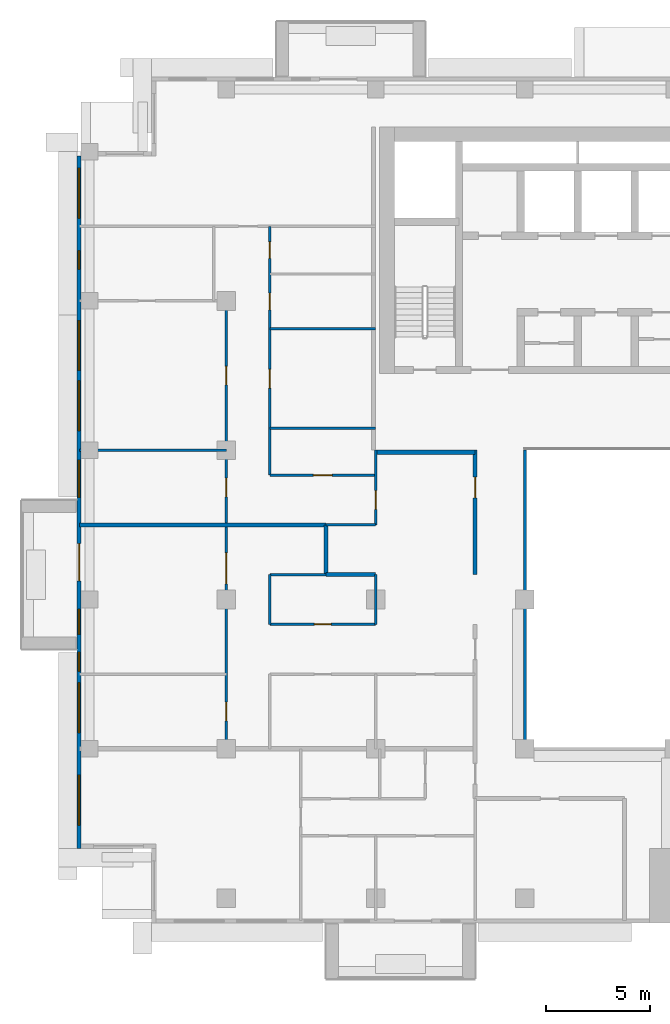
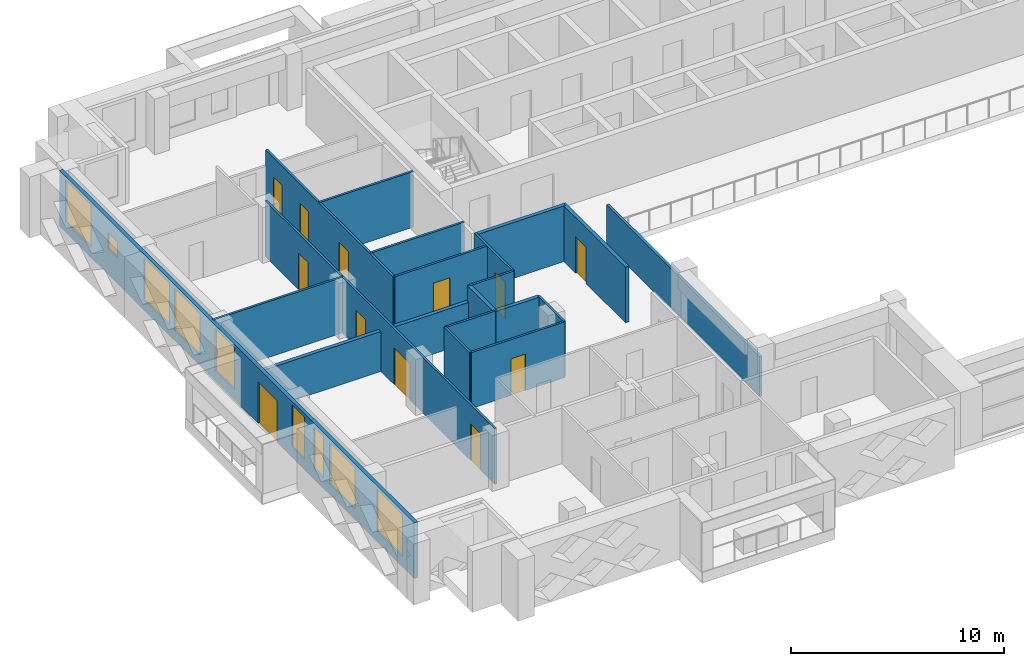
# One storey, part 7 of 20: 19 walls, 12 doors, 9 windows, 21 openings.
"""IFC4 building model written with IfcOpenShell, lengths in metres."""

from ifc_helpers import new_model, si_unit, direction, frame, frame_2d, origin, place, context, subcontext, project, spatial, rectangle, extrude, material, layer, layer_set, type_object, element, fill, save


model = new_model("IFC4")

# Units and contexts
model_context = context("Model", 3, precision=1e-05, world=origin(), true_north=direction((0.0, 1.0)))
body_context = subcontext(model_context, "Body", "Model", "MODEL_VIEW")
ifc_project = project(units=[si_unit("LENGTHUNIT", "METRE"), si_unit("AREAUNIT", "SQUARE_METRE"), si_unit("VOLUMEUNIT", "CUBIC_METRE"), si_unit("PLANEANGLEUNIT", "RADIAN"), si_unit("MASSUNIT", "GRAM", prefix="KILO")], contexts=[model_context])

# Site, building, storey
site_placement = place(None, origin())
site = spatial("IfcSite", under=ifc_project, at=site_placement, CompositionType="ELEMENT")
building_placement = place(site_placement, origin())
building = spatial("IfcBuilding", under=site, at=building_placement, Name="Saffron Iwan Residences", CompositionType="ELEMENT")
storey_placement = place(building_placement, frame((0.0, 0.0, 181.5)))
storey = spatial("IfcBuildingStorey", under=building, at=storey_placement, Name="L48", CompositionType="ELEMENT", Elevation=181.5)

# Wall
ifc_material_1 = material(Name="Fire-rated glazing", Category="glass")
ifc_layer_1 = layer(ifc_material_1, 0.14990234375)
ifc_layer_set_1 = layer_set([ifc_layer_1], Name="Fire-rated glazing")
wall_type_1 = type_object("IfcWallType", Name="Atrium glazed screen 150", PredefinedType="SOLIDWALL", material=ifc_layer_set_1)
wall_1_placement = place(storey_placement, frame((36.0, 48.0, 0.0), z_axis=(0.0, 0.0, 1.0), x_axis=(0.0, 1.0, 0.0)))
element("IfcWall", 1, at=wall_1_placement, inside=storey, type_object=wall_type_1, Name="W-L48-SCREEN-v36-48", PredefinedType="SOLIDWALL", context=body_context, shape_type="SweptSolid", body=[
    extrude(rectangle(XDim=14.39990234375, YDim=0.14990234375, at=frame_2d((7.199951171875, 0.0))), origin(), (0.0, 0.0, 1.0), 2.300048828125),
])

# Wall, openings, door, windows
ifc_material_2 = material(Name="Concrete C40/50", Category="concrete")
ifc_layer_2 = layer(ifc_material_2, 0.199951171875)
ifc_layer_set_2 = layer_set([ifc_layer_2], Name="Concrete C40/50")
wall_type_2 = type_object("IfcWallType", Name="EXTERNAL WALL 200", PredefinedType="SOLIDWALL", material=ifc_layer_set_2)
wall_2_placement = place(storey_placement, frame((14.5, 76.60009765625, 0.0), z_axis=(0.0, 0.0, 1.0), x_axis=(0.0, -1.0, 0.0)))
wall_2 = element("IfcWall", 2, at=wall_2_placement, inside=storey, type_object=wall_type_2, Name="External wall L48 F8.0", PredefinedType="SOLIDWALL", context=body_context, shape_type="SweptSolid", body=[
    extrude(rectangle(XDim=33.400146484375, YDim=0.199951171875, at=frame_2d((16.7001953125, 0.0))), origin(), (0.0, 0.0, 1.0), 3.199951171875),
])
opening_1_placement = place(wall_2_placement, frame((18.699951171875, 0.0, 0.0)))
opening_1 = element("IfcOpeningElement", 3, at=opening_1_placement, cuts=wall_2, Name="Opening BD1", PredefinedType="OPENING", context=body_context, shape_type="SweptSolid", body=[
    extrude(rectangle(XDim=1.800048828125, YDim=2.39990234375, at=frame_2d((0.89990234375, 1.199951171875))), frame((0.0, 0.10986328125, 0.0), z_axis=(0.0, -1.0, 0.0), x_axis=(1.0, 0.0, 0.0)), (0.0, 0.0, 1.0), 0.219970703125),
])
opening_2_placement = place(wall_2_placement, frame((29.875, 0.0, 0.60009765625)))
opening_2 = element("IfcOpeningElement", 4, at=opening_2_placement, cuts=wall_2, Name="Opening W1", PredefinedType="OPENING", context=body_context, shape_type="SweptSolid", body=[
    extrude(rectangle(XDim=2.39990234375, YDim=2.39990234375, at=frame_2d((1.199951171875, 1.199951171875))), frame((0.0, 0.10986328125, 0.0), z_axis=(0.0, -1.0, 0.0), x_axis=(1.0, 0.0, 0.0)), (0.0, 0.0, 1.0), 0.219970703125),
])
opening_3_placement = place(wall_2_placement, frame((25.425048828125, 0.0, 0.60009765625)))
opening_3 = element("IfcOpeningElement", 5, at=opening_3_placement, cuts=wall_2, Name="Opening W1", PredefinedType="OPENING", context=body_context, shape_type="SweptSolid", body=[
    extrude(rectangle(XDim=2.39990234375, YDim=2.39990234375, at=frame_2d((1.199951171875, 1.199951171875))), frame((0.0, 0.10986328125, 0.0), z_axis=(0.0, -1.0, 0.0), x_axis=(1.0, 0.0, 0.0)), (0.0, 0.0, 1.0), 0.219970703125),
])
opening_4_placement = place(wall_2_placement, frame((21.875, 0.0, 0.60009765625)))
opening_4 = element("IfcOpeningElement", 6, at=opening_4_placement, cuts=wall_2, Name="Opening W3", PredefinedType="OPENING", context=body_context, shape_type="SweptSolid", body=[
    extrude(rectangle(XDim=1.199951171875, YDim=2.39990234375, at=frame_2d((0.60009765625, 1.199951171875))), frame((0.0, 0.10986328125, 0.0), z_axis=(0.0, -1.0, 0.0), x_axis=(1.0, 0.0, 0.0)), (0.0, 0.0, 1.0), 0.219970703125),
])
opening_5_placement = place(wall_2_placement, frame((23.949951171875, 0.0, 0.60009765625)))
opening_5 = element("IfcOpeningElement", 7, at=opening_5_placement, cuts=wall_2, Name="Opening W10", PredefinedType="OPENING", context=body_context, shape_type="SweptSolid", body=[
    extrude(rectangle(XDim=0.89990234375, YDim=2.39990234375, at=frame_2d((0.449951171875, 1.199951171875))), frame((0.0, 0.10986328125, 0.0), z_axis=(0.0, -1.0, 0.0), x_axis=(1.0, 0.0, 0.0)), (0.0, 0.0, 1.0), 0.219970703125),
])
opening_6_placement = place(wall_2_placement, frame((14.675048828125, 0.0, 0.60009765625)))
opening_6 = element("IfcOpeningElement", 8, at=opening_6_placement, cuts=wall_2, Name="Opening W8", PredefinedType="OPENING", context=body_context, shape_type="SweptSolid", body=[
    extrude(rectangle(XDim=1.800048828125, YDim=2.39990234375, at=frame_2d((0.89990234375, 1.199951171875))), frame((0.0, 0.10986328125, 0.0), z_axis=(0.0, -1.0, 0.0), x_axis=(1.0, 0.0, 0.0)), (0.0, 0.0, 1.0), 0.219970703125),
])
opening_7_placement = place(wall_2_placement, frame((7.949951171875, 0.0, 0.60009765625)))
opening_7 = element("IfcOpeningElement", 9, at=opening_7_placement, cuts=wall_2, Name="Opening W1", PredefinedType="OPENING", context=body_context, shape_type="SweptSolid", body=[
    extrude(rectangle(XDim=2.39990234375, YDim=2.39990234375, at=frame_2d((1.199951171875, 1.199951171875))), frame((0.0, 0.10986328125, 0.0), z_axis=(0.0, -1.0, 0.0), x_axis=(1.0, 0.0, 0.0)), (0.0, 0.0, 1.0), 0.219970703125),
])
opening_8_placement = place(wall_2_placement, frame((10.85009765625, 0.0, 0.60009765625)))
opening_8 = element("IfcOpeningElement", 10, at=opening_8_placement, cuts=wall_2, Name="Opening W1", PredefinedType="OPENING", context=body_context, shape_type="SweptSolid", body=[
    extrude(rectangle(XDim=2.39990234375, YDim=2.39990234375, at=frame_2d((1.199951171875, 1.199951171875))), frame((0.0, 0.10986328125, 0.0), z_axis=(0.0, -1.0, 0.0), x_axis=(1.0, 0.0, 0.0)), (0.0, 0.0, 1.0), 0.219970703125),
])
opening_9_placement = place(wall_2_placement, frame((4.574951171875, 0.0, 1.5)))
opening_9 = element("IfcOpeningElement", 11, at=opening_9_placement, cuts=wall_2, Name="Opening W6", PredefinedType="OPENING", context=body_context, shape_type="SweptSolid", body=[
    extrude(rectangle(XDim=0.89990234375, YDim=0.89990234375, at=frame_2d((0.449951171875, 0.449951171875))), frame((0.0, 0.10986328125, 0.0), z_axis=(0.0, -1.0, 0.0), x_axis=(1.0, 0.0, 0.0)), (0.0, 0.0, 1.0), 0.219970703125),
])
opening_10_placement = place(wall_2_placement, frame((0.60009765625, 0.0, 0.60009765625)))
opening_10 = element("IfcOpeningElement", 12, at=opening_10_placement, cuts=wall_2, Name="Opening W1", PredefinedType="OPENING", context=body_context, shape_type="SweptSolid", body=[
    extrude(rectangle(XDim=2.39990234375, YDim=2.39990234375, at=frame_2d((1.199951171875, 1.199951171875))), frame((0.0, 0.10986328125, 0.0), z_axis=(0.0, -1.0, 0.0), x_axis=(1.0, 0.0, 0.0)), (0.0, 0.0, 1.0), 0.219970703125),
])
ifc_material_3 = material(Name="Clear glass, laminated double glazed", Category="glass")
door_type_1 = type_object("IfcDoorType", Name="BALCONY DOOR 1800 x 2400", OperationType="DOUBLE_DOOR_SLIDING", PredefinedType="DOOR", material=ifc_material_3)
door_1_placement = place(opening_1_placement, origin())
door_1 = element("IfcDoor", 13, at=door_1_placement, inside=storey, type_object=door_type_1, Name="Balcony door L48 F8.0", OperationType="DOUBLE_DOOR_SLIDING", OverallHeight=2.39990234375, OverallWidth=1.800048828125, PredefinedType="DOOR", context=body_context, shape_type="SweptSolid", body=[
    extrude(rectangle(XDim=1.800048828125, YDim=2.39990234375, at=frame_2d((0.89990234375, 1.199951171875))), frame((0.0, 0.02490234375, 0.0), z_axis=(0.0, -1.0, 0.0), x_axis=(1.0, 0.0, 0.0)), (0.0, 0.0, 1.0), 0.050048828125),
])
fill(opening_1, door_1)
window_type_1 = type_object("IfcWindowType", Name="WINDOW 1200 x 2400", PartitioningType="SINGLE_PANEL", PredefinedType="WINDOW", material=ifc_material_3)
window_1_placement = place(opening_4_placement, origin())
window_1 = element("IfcWindow", 14, at=window_1_placement, inside=storey, type_object=window_type_1, Name="Window L48 F8.3", OverallHeight=2.39990234375, OverallWidth=1.199951171875, PartitioningType="SINGLE_PANEL", PredefinedType="WINDOW", context=body_context, shape_type="SweptSolid", body=[
    extrude(rectangle(XDim=1.199951171875, YDim=2.39990234375, at=frame_2d((0.60009765625, 1.199951171875))), frame((0.0, 0.030029296875, 0.0), z_axis=(0.0, -1.0, 0.0), x_axis=(1.0, 0.0, 0.0)), (0.0, 0.0, 1.0), 0.06005859375),
])
fill(opening_4, window_1)
window_type_2 = type_object("IfcWindowType", Name="WINDOW 1800 x 2400", PartitioningType="DOUBLE_PANEL_VERTICAL", PredefinedType="WINDOW", material=ifc_material_3)
window_2_placement = place(opening_6_placement, origin())
window_2 = element("IfcWindow", 15, at=window_2_placement, inside=storey, type_object=window_type_2, Name="Window L48 F8.5", OverallHeight=2.39990234375, OverallWidth=1.800048828125, PartitioningType="DOUBLE_PANEL_VERTICAL", PredefinedType="WINDOW", context=body_context, shape_type="SweptSolid", body=[
    extrude(rectangle(XDim=1.800048828125, YDim=2.39990234375, at=frame_2d((0.89990234375, 1.199951171875))), frame((0.0, 0.030029296875, 0.0), z_axis=(0.0, -1.0, 0.0), x_axis=(1.0, 0.0, 0.0)), (0.0, 0.0, 1.0), 0.06005859375),
])
fill(opening_6, window_2)
window_type_3 = type_object("IfcWindowType", Name="WINDOW 2400 x 2400", PartitioningType="DOUBLE_PANEL_VERTICAL", PredefinedType="WINDOW", material=ifc_material_3)
window_3_placement = place(opening_2_placement, origin())
window_3 = element("IfcWindow", 16, at=window_3_placement, inside=storey, type_object=window_type_3, Name="Window L48 F8.1", OverallHeight=2.39990234375, OverallWidth=2.39990234375, PartitioningType="DOUBLE_PANEL_VERTICAL", PredefinedType="WINDOW", context=body_context, shape_type="SweptSolid", body=[
    extrude(rectangle(XDim=2.39990234375, YDim=2.39990234375, at=frame_2d((1.199951171875, 1.199951171875))), frame((0.0, 0.030029296875, 0.0), z_axis=(0.0, -1.0, 0.0), x_axis=(1.0, 0.0, 0.0)), (0.0, 0.0, 1.0), 0.06005859375),
])
fill(opening_2, window_3)
window_4_placement = place(opening_3_placement, origin())
window_4 = element("IfcWindow", 17, at=window_4_placement, inside=storey, type_object=window_type_3, Name="Window L48 F8.2", OverallHeight=2.39990234375, OverallWidth=2.39990234375, PartitioningType="DOUBLE_PANEL_VERTICAL", PredefinedType="WINDOW", context=body_context, shape_type="SweptSolid", body=[
    extrude(rectangle(XDim=2.39990234375, YDim=2.39990234375, at=frame_2d((1.199951171875, 1.199951171875))), frame((0.0, 0.030029296875, 0.0), z_axis=(0.0, -1.0, 0.0), x_axis=(1.0, 0.0, 0.0)), (0.0, 0.0, 1.0), 0.06005859375),
])
fill(opening_3, window_4)
window_5_placement = place(opening_7_placement, origin())
window_5 = element("IfcWindow", 18, at=window_5_placement, inside=storey, type_object=window_type_3, Name="Window L48 F8.6", OverallHeight=2.39990234375, OverallWidth=2.39990234375, PartitioningType="DOUBLE_PANEL_VERTICAL", PredefinedType="WINDOW", context=body_context, shape_type="SweptSolid", body=[
    extrude(rectangle(XDim=2.39990234375, YDim=2.39990234375, at=frame_2d((1.199951171875, 1.199951171875))), frame((0.0, 0.030029296875, 0.0), z_axis=(0.0, -1.0, 0.0), x_axis=(1.0, 0.0, 0.0)), (0.0, 0.0, 1.0), 0.06005859375),
])
fill(opening_7, window_5)
window_6_placement = place(opening_8_placement, origin())
window_6 = element("IfcWindow", 19, at=window_6_placement, inside=storey, type_object=window_type_3, Name="Window L48 F8.7", OverallHeight=2.39990234375, OverallWidth=2.39990234375, PartitioningType="DOUBLE_PANEL_VERTICAL", PredefinedType="WINDOW", context=body_context, shape_type="SweptSolid", body=[
    extrude(rectangle(XDim=2.39990234375, YDim=2.39990234375, at=frame_2d((1.199951171875, 1.199951171875))), frame((0.0, 0.030029296875, 0.0), z_axis=(0.0, -1.0, 0.0), x_axis=(1.0, 0.0, 0.0)), (0.0, 0.0, 1.0), 0.06005859375),
])
fill(opening_8, window_6)
window_7_placement = place(opening_10_placement, origin())
window_7 = element("IfcWindow", 20, at=window_7_placement, inside=storey, type_object=window_type_3, Name="Window L48 F8.9", OverallHeight=2.39990234375, OverallWidth=2.39990234375, PartitioningType="DOUBLE_PANEL_VERTICAL", PredefinedType="WINDOW", context=body_context, shape_type="SweptSolid", body=[
    extrude(rectangle(XDim=2.39990234375, YDim=2.39990234375, at=frame_2d((1.199951171875, 1.199951171875))), frame((0.0, 0.030029296875, 0.0), z_axis=(0.0, -1.0, 0.0), x_axis=(1.0, 0.0, 0.0)), (0.0, 0.0, 1.0), 0.06005859375),
])
fill(opening_10, window_7)
window_type_4 = type_object("IfcWindowType", Name="WINDOW 900 x 2400", PartitioningType="SINGLE_PANEL", PredefinedType="WINDOW", material=ifc_material_3)
window_8_placement = place(opening_5_placement, origin())
window_8 = element("IfcWindow", 21, at=window_8_placement, inside=storey, type_object=window_type_4, Name="Window L48 F8.4", OverallHeight=2.39990234375, OverallWidth=0.89990234375, PartitioningType="SINGLE_PANEL", PredefinedType="WINDOW", context=body_context, shape_type="SweptSolid", body=[
    extrude(rectangle(XDim=0.89990234375, YDim=2.39990234375, at=frame_2d((0.449951171875, 1.199951171875))), frame((0.0, 0.030029296875, 0.0), z_axis=(0.0, -1.0, 0.0), x_axis=(1.0, 0.0, 0.0)), (0.0, 0.0, 1.0), 0.06005859375),
])
fill(opening_5, window_8)
window_type_5 = type_object("IfcWindowType", Name="WINDOW 900 x 900 BATH", PartitioningType="SINGLE_PANEL", PredefinedType="WINDOW", material=ifc_material_3)
window_9_placement = place(opening_9_placement, origin())
window_9 = element("IfcWindow", 22, at=window_9_placement, inside=storey, type_object=window_type_5, Name="Window L48 F8.8", OverallHeight=0.89990234375, OverallWidth=0.89990234375, PartitioningType="SINGLE_PANEL", PredefinedType="WINDOW", context=body_context, shape_type="SweptSolid", body=[
    extrude(rectangle(XDim=0.89990234375, YDim=0.89990234375, at=frame_2d((0.449951171875, 0.449951171875))), frame((0.0, 0.030029296875, 0.0), z_axis=(0.0, -1.0, 0.0), x_axis=(1.0, 0.0, 0.0)), (0.0, 0.0, 1.0), 0.06005859375),
])
fill(opening_9, window_9)

# Walls
ifc_material_4 = material(Name="Fire-rated gypsum board wall")
ifc_layer_3 = layer(ifc_material_4, 0.199951171875)
ifc_layer_set_3 = layer_set([ifc_layer_3], Name="Fire-rated gypsum board wall")
wall_type_3 = type_object("IfcWallType", Name="Flat demising wall 200", PredefinedType="SOLIDWALL", material=ifc_layer_set_3)
wall_3_placement = place(storey_placement, frame((26.39990234375, 56.39990234375, 0.0), z_axis=(0.0, 0.0, 1.0), x_axis=(1.0, 0.0, 0.0)))
element("IfcWall", 23, at=wall_3_placement, inside=storey, type_object=wall_type_3, Name="W-L48-DEMISE-h56.4-26.4", PredefinedType="SOLIDWALL", context=body_context, shape_type="SweptSolid", body=[
    extrude(rectangle(XDim=2.400146484375, YDim=0.199951171875, at=frame_2d((1.2001953125, 0.0))), origin(), (0.0, 0.0, 1.0), 3.199951171875),
])
wall_4_placement = place(storey_placement, frame((14.52490234375, 58.800048828125, 0.0), z_axis=(0.0, 0.0, 1.0), x_axis=(1.0, 0.0, 0.0)))
element("IfcWall", 24, at=wall_4_placement, inside=storey, type_object=wall_type_3, Name="W-L48-DEMISE-h58.8-14.525", PredefinedType="SOLIDWALL", context=body_context, shape_type="SweptSolid", body=[
    extrude(rectangle(XDim=11.875, YDim=0.199951171875, at=frame_2d((5.9375, 0.0))), origin(), (0.0, 0.0, 1.0), 2.300048828125),
])
wall_5_placement = place(storey_placement, frame((26.39990234375, 56.39990234375, 0.0), z_axis=(0.0, 0.0, 1.0), x_axis=(0.0, 1.0, 0.0)))
element("IfcWall", 25, at=wall_5_placement, inside=storey, type_object=wall_type_3, Name="W-L48-DEMISE-v26.4-56.4", PredefinedType="SOLIDWALL", context=body_context, shape_type="SweptSolid", body=[
    extrude(rectangle(XDim=2.400146484375, YDim=0.199951171875, at=frame_2d((1.2001953125, 0.0))), origin(), (0.0, 0.0, 1.0), 3.199951171875),
])

# Wall, opening, door
ifc_material_5 = material(Name="Gypsum board partition")
ifc_layer_4 = layer(ifc_material_5, 0.1201171875)
ifc_layer_set_4 = layer_set([ifc_layer_4], Name="Gypsum board partition")
wall_type_4 = type_object("IfcWallType", Name="Flat partition 120", PredefinedType="PARTITIONING", material=ifc_layer_set_4)
wall_6_placement = place(storey_placement, frame((23.699951171875, 54.0, 0.0), z_axis=(0.0, 0.0, 1.0), x_axis=(1.0, 0.0, 0.0)))
wall_6 = element("IfcWall", 26, at=wall_6_placement, inside=storey, type_object=wall_type_4, Name="W-L48-PART-h54-23.7", PredefinedType="PARTITIONING", context=body_context, shape_type="SweptSolid", body=[
    extrude(rectangle(XDim=5.10009765625, YDim=0.1201171875, at=frame_2d((2.550048828125, 0.0))), origin(), (0.0, 0.0, 1.0), 3.199951171875),
])
opening_11_placement = place(wall_6_placement, frame((2.14990234375, 0.0, 0.0)))
opening_11 = element("IfcOpeningElement", 27, at=opening_11_placement, cuts=wall_6, Name="Opening FD3", PredefinedType="OPENING", context=body_context, shape_type="SweptSolid", body=[
    extrude(rectangle(XDim=0.800048828125, YDim=2.10009765625, at=frame_2d((0.39990234375, 1.050048828125))), frame((0.0, 0.070068359375, 0.0), z_axis=(0.0, -1.0, 0.0), x_axis=(1.0, 0.0, 0.0)), (0.0, 0.0, 1.0), 0.14013671875),
])
ifc_material_6 = material(Name="Timber door", Category="wood")
door_type_2 = type_object("IfcDoorType", Name="Bathroom door 800", OperationType="NOTDEFINED", PredefinedType="DOOR", material=ifc_material_6)
door_2_placement = place(opening_11_placement, origin())
door_2 = element("IfcDoor", 28, at=door_2_placement, inside=storey, type_object=door_type_2, Name="Door L48-012", OperationType="SINGLE_SWING_LEFT", OverallHeight=2.10009765625, OverallWidth=0.800048828125, PredefinedType="DOOR", context=body_context, shape_type="SweptSolid", body=[
    extrude(rectangle(XDim=0.800048828125, YDim=2.10009765625, at=frame_2d((0.39990234375, 1.050048828125))), frame((0.0, 0.02490234375, 0.0), z_axis=(0.0, -1.0, 0.0), x_axis=(1.0, 0.0, 0.0)), (0.0, 0.0, 1.0), 0.050048828125),
])
fill(opening_11, door_2)

# Walls
wall_7_placement = place(storey_placement, frame((23.699951171875, 56.39990234375, 0.0), z_axis=(0.0, 0.0, 1.0), x_axis=(1.0, 0.0, 0.0)))
element("IfcWall", 29, at=wall_7_placement, inside=storey, type_object=wall_type_4, Name="W-L48-PART-h56.4-23.7", PredefinedType="PARTITIONING", context=body_context, shape_type="SweptSolid", body=[
    extrude(rectangle(XDim=2.699951171875, YDim=0.1201171875, at=frame_2d((1.35009765625, 0.0))), origin(), (0.0, 0.0, 1.0), 3.199951171875),
])
wall_8_placement = place(storey_placement, frame((26.39990234375, 58.800048828125, 0.0), z_axis=(0.0, 0.0, 1.0), x_axis=(1.0, 0.0, 0.0)))
element("IfcWall", 30, at=wall_8_placement, inside=storey, type_object=wall_type_4, Name="W-L48-PART-h58.8-26.4", PredefinedType="PARTITIONING", context=body_context, shape_type="SweptSolid", body=[
    extrude(rectangle(XDim=2.400146484375, YDim=0.1201171875, at=frame_2d((1.2001953125, 0.0))), origin(), (0.0, 0.0, 1.0), 3.199951171875),
])

# Wall, opening, door
wall_9_placement = place(storey_placement, frame((23.699951171875, 61.199951171875, 0.0), z_axis=(0.0, 0.0, 1.0), x_axis=(1.0, 0.0, 0.0)))
wall_9 = element("IfcWall", 31, at=wall_9_placement, inside=storey, type_object=wall_type_4, Name="W-L48-PART-h61.2-23.7", PredefinedType="PARTITIONING", context=body_context, shape_type="SweptSolid", body=[
    extrude(rectangle(XDim=5.10009765625, YDim=0.1201171875, at=frame_2d((2.550048828125, 0.0))), origin(), (0.0, 0.0, 1.0), 3.199951171875),
])
opening_12_placement = place(wall_9_placement, frame((2.10009765625, 0.0, 0.0)))
opening_12 = element("IfcOpeningElement", 32, at=opening_12_placement, cuts=wall_9, Name="Opening FD2", PredefinedType="OPENING", context=body_context, shape_type="SweptSolid", body=[
    extrude(rectangle(XDim=0.89990234375, YDim=2.10009765625, at=frame_2d((0.449951171875, 1.050048828125))), frame((0.0, 0.070068359375, 0.0), z_axis=(0.0, -1.0, 0.0), x_axis=(1.0, 0.0, 0.0)), (0.0, 0.0, 1.0), 0.14013671875),
])
door_type_3 = type_object("IfcDoorType", Name="Flat door 900", OperationType="NOTDEFINED", PredefinedType="DOOR", material=ifc_material_6)
door_3_placement = place(opening_12_placement, origin())
door_3 = element("IfcDoor", 33, at=door_3_placement, inside=storey, type_object=door_type_3, Name="Door L48-026", OperationType="SINGLE_SWING_LEFT", OverallHeight=2.10009765625, OverallWidth=0.89990234375, PredefinedType="DOOR", context=body_context, shape_type="SweptSolid", body=[
    extrude(rectangle(XDim=0.89990234375, YDim=2.10009765625, at=frame_2d((0.449951171875, 1.050048828125))), frame((0.0, 0.02490234375, 0.0), z_axis=(0.0, -1.0, 0.0), x_axis=(1.0, 0.0, 0.0)), (0.0, 0.0, 1.0), 0.050048828125),
])
fill(opening_12, door_3)

# Walls
wall_10_placement = place(storey_placement, frame((14.52490234375, 62.39990234375, 0.0), z_axis=(0.0, 0.0, 1.0), x_axis=(1.0, 0.0, 0.0)))
element("IfcWall", 34, at=wall_10_placement, inside=storey, type_object=wall_type_4, Name="W-L48-PART-h62.4-14.525", PredefinedType="PARTITIONING", context=body_context, shape_type="SweptSolid", body=[
    extrude(rectangle(XDim=7.0751953125, YDim=0.1201171875, at=frame_2d((3.53759765625, 0.0))), origin(), (0.0, 0.0, 1.0), 3.199951171875),
])
for number, where, z_axis, x_axis, name in (
    (35, (23.699951171875, 63.449951171875, 0.0), (0.0, 0.0, 1.0), (1.0, 0.0, 0.0), "W-L48-PART-h63.45-23.7"),
    (36, (23.699951171875, 68.25, 0.0), (0.0, 0.0, 1.0), (1.0, 0.0, 0.0), "W-L48-PART-h68.25-23.7"),
):
    element("IfcWall", number, at=place(storey_placement, frame(where, z_axis=z_axis, x_axis=x_axis)), inside=storey, type_object=wall_type_4, Name=name, PredefinedType="PARTITIONING", context=body_context, shape_type="SweptSolid", body=[
        extrude(rectangle(XDim=5.10009765625, YDim=0.1201171875, at=frame_2d((2.550048828125, 0.0))), origin(), (0.0, 0.0, 1.0), 3.199951171875),
    ])

# Wall, openings, doors
wall_11_placement = place(storey_placement, frame((21.60009765625, 48.0, 0.0), z_axis=(0.0, 0.0, 1.0), x_axis=(0.0, 1.0, 0.0)))
wall_11 = element("IfcWall", 37, at=wall_11_placement, inside=storey, type_object=wall_type_4, Name="W-L48-PART-v21.6-48", PredefinedType="PARTITIONING", context=body_context, shape_type="SweptSolid", body=[
    extrude(rectangle(XDim=21.60009765625, YDim=0.1201171875, at=frame_2d((10.800048828125, 0.0))), origin(), (0.0, 0.0, 1.0), 3.199951171875),
])
opening_13_placement = place(wall_11_placement, frame((1.35009765625, 0.0, 0.0)))
opening_13 = element("IfcOpeningElement", 38, at=opening_13_placement, cuts=wall_11, Name="Opening FD2", PredefinedType="OPENING", context=body_context, shape_type="SweptSolid", body=[
    extrude(rectangle(XDim=0.89990234375, YDim=2.10009765625, at=frame_2d((0.449951171875, 1.050048828125))), frame((0.0, 0.070068359375, 0.0), z_axis=(0.0, -1.0, 0.0), x_axis=(1.0, 0.0, 0.0)), (0.0, 0.0, 1.0), 0.14013671875),
])
opening_14_placement = place(wall_11_placement, frame((7.949951171875, 0.0, 0.0)))
opening_14 = element("IfcOpeningElement", 39, at=opening_14_placement, cuts=wall_11, Name="Opening FD4", PredefinedType="OPENING", context=body_context, shape_type="SweptSolid", body=[
    extrude(rectangle(XDim=1.5, YDim=2.10009765625, at=frame_2d((0.75, 1.050048828125))), frame((0.0, 0.070068359375, 0.0), z_axis=(0.0, -1.0, 0.0), x_axis=(1.0, 0.0, 0.0)), (0.0, 0.0, 1.0), 0.14013671875),
])
opening_15_placement = place(wall_11_placement, frame((12.14990234375, 0.0, 0.0)))
opening_15 = element("IfcOpeningElement", 40, at=opening_15_placement, cuts=wall_11, Name="Opening FD2", PredefinedType="OPENING", context=body_context, shape_type="SweptSolid", body=[
    extrude(rectangle(XDim=0.89990234375, YDim=2.10009765625, at=frame_2d((0.449951171875, 1.050048828125))), frame((0.0, 0.070068359375, 0.0), z_axis=(0.0, -1.0, 0.0), x_axis=(1.0, 0.0, 0.0)), (0.0, 0.0, 1.0), 0.14013671875),
])
opening_16_placement = place(wall_11_placement, frame((17.550048828125, 0.0, 0.0)))
opening_16 = element("IfcOpeningElement", 41, at=opening_16_placement, cuts=wall_11, Name="Opening FD2", PredefinedType="OPENING", context=body_context, shape_type="SweptSolid", body=[
    extrude(rectangle(XDim=0.89990234375, YDim=2.10009765625, at=frame_2d((0.449951171875, 1.050048828125))), frame((0.0, 0.070068359375, 0.0), z_axis=(0.0, -1.0, 0.0), x_axis=(1.0, 0.0, 0.0)), (0.0, 0.0, 1.0), 0.14013671875),
])
door_type_4 = type_object("IfcDoorType", Name="Double door 1500", OperationType="NOTDEFINED", PredefinedType="DOOR", material=ifc_material_6)
door_4_placement = place(opening_14_placement, origin())
door_4 = element("IfcDoor", 42, at=door_4_placement, inside=storey, type_object=door_type_4, Name="Door L48-010", OperationType="SINGLE_SWING_LEFT", OverallHeight=2.10009765625, OverallWidth=1.5, PredefinedType="DOOR", context=body_context, shape_type="SweptSolid", body=[
    extrude(rectangle(XDim=1.5, YDim=2.10009765625, at=frame_2d((0.75, 1.050048828125))), frame((0.0, 0.02490234375, 0.0), z_axis=(0.0, -1.0, 0.0), x_axis=(1.0, 0.0, 0.0)), (0.0, 0.0, 1.0), 0.050048828125),
])
fill(opening_14, door_4)
door_5_placement = place(opening_13_placement, origin())
door_5 = element("IfcDoor", 43, at=door_5_placement, inside=storey, type_object=door_type_3, Name="Door L48-009", OperationType="SINGLE_SWING_LEFT", OverallHeight=2.10009765625, OverallWidth=0.89990234375, PredefinedType="DOOR", context=body_context, shape_type="SweptSolid", body=[
    extrude(rectangle(XDim=0.89990234375, YDim=2.10009765625, at=frame_2d((0.449951171875, 1.050048828125))), frame((0.0, 0.02490234375, 0.0), z_axis=(0.0, -1.0, 0.0), x_axis=(1.0, 0.0, 0.0)), (0.0, 0.0, 1.0), 0.050048828125),
])
fill(opening_13, door_5)
door_6_placement = place(opening_15_placement, origin())
door_6 = element("IfcDoor", 44, at=door_6_placement, inside=storey, type_object=door_type_3, Name="Door L48-022", OperationType="SINGLE_SWING_RIGHT", OverallHeight=2.10009765625, OverallWidth=0.89990234375, PredefinedType="DOOR", context=body_context, shape_type="SweptSolid", body=[
    extrude(rectangle(XDim=0.89990234375, YDim=2.10009765625, at=frame_2d((0.449951171875, 1.050048828125))), frame((0.0, 0.02490234375, 0.0), z_axis=(0.0, -1.0, 0.0), x_axis=(1.0, 0.0, 0.0)), (0.0, 0.0, 1.0), 0.050048828125),
])
fill(opening_15, door_6)
door_7_placement = place(opening_16_placement, origin())
door_7 = element("IfcDoor", 45, at=door_7_placement, inside=storey, type_object=door_type_3, Name="Door L48-023", OperationType="SINGLE_SWING_LEFT", OverallHeight=2.10009765625, OverallWidth=0.89990234375, PredefinedType="DOOR", context=body_context, shape_type="SweptSolid", body=[
    extrude(rectangle(XDim=0.89990234375, YDim=2.10009765625, at=frame_2d((0.449951171875, 1.050048828125))), frame((0.0, 0.02490234375, 0.0), z_axis=(0.0, -1.0, 0.0), x_axis=(1.0, 0.0, 0.0)), (0.0, 0.0, 1.0), 0.050048828125),
])
fill(opening_16, door_7)

# Wall
wall_12_placement = place(storey_placement, frame((23.699951171875, 54.0, 0.0), z_axis=(0.0, 0.0, 1.0), x_axis=(0.0, 1.0, 0.0)))
element("IfcWall", 46, at=wall_12_placement, inside=storey, type_object=wall_type_4, Name="W-L48-PART-v23.7-54", PredefinedType="PARTITIONING", context=body_context, shape_type="SweptSolid", body=[
    extrude(rectangle(XDim=2.39990234375, YDim=0.1201171875, at=frame_2d((1.199951171875, 0.0))), origin(), (0.0, 0.0, 1.0), 3.199951171875),
])

# Wall, openings, doors
wall_13_placement = place(storey_placement, frame((23.699951171875, 61.199951171875, 0.0), z_axis=(0.0, 0.0, 1.0), x_axis=(0.0, 1.0, 0.0)))
wall_13 = element("IfcWall", 47, at=wall_13_placement, inside=storey, type_object=wall_type_4, Name="W-L48-PART-v23.7-61.2", PredefinedType="PARTITIONING", context=body_context, shape_type="SweptSolid", body=[
    extrude(rectangle(XDim=12.0, YDim=0.1201171875, at=frame_2d((6.0, 0.0))), origin(), (0.0, 0.0, 1.0), 3.199951171875),
])
opening_17_placement = place(wall_13_placement, frame((4.199951171875, 0.0, 0.0)))
opening_17 = element("IfcOpeningElement", 48, at=opening_17_placement, cuts=wall_13, Name="Opening FD2", PredefinedType="OPENING", context=body_context, shape_type="SweptSolid", body=[
    extrude(rectangle(XDim=0.89990234375, YDim=2.10009765625, at=frame_2d((0.449951171875, 1.050048828125))), frame((0.0, 0.070068359375, 0.0), z_axis=(0.0, -1.0, 0.0), x_axis=(1.0, 0.0, 0.0)), (0.0, 0.0, 1.0), 0.14013671875),
])
opening_18_placement = place(wall_13_placement, frame((7.97509765625, 0.0, 0.0)))
opening_18 = element("IfcOpeningElement", 49, at=opening_18_placement, cuts=wall_13, Name="Opening FD3", PredefinedType="OPENING", context=body_context, shape_type="SweptSolid", body=[
    extrude(rectangle(XDim=0.800048828125, YDim=2.10009765625, at=frame_2d((0.39990234375, 1.050048828125))), frame((0.0, 0.070068359375, 0.0), z_axis=(0.0, -1.0, 0.0), x_axis=(1.0, 0.0, 0.0)), (0.0, 0.0, 1.0), 0.14013671875),
])
opening_19_placement = place(wall_13_placement, frame((10.449951171875, 0.0, 0.0)))
opening_19 = element("IfcOpeningElement", 50, at=opening_19_placement, cuts=wall_13, Name="Opening FD3", PredefinedType="OPENING", context=body_context, shape_type="SweptSolid", body=[
    extrude(rectangle(XDim=0.800048828125, YDim=2.10009765625, at=frame_2d((0.39990234375, 1.050048828125))), frame((0.0, 0.070068359375, 0.0), z_axis=(0.0, -1.0, 0.0), x_axis=(1.0, 0.0, 0.0)), (0.0, 0.0, 1.0), 0.14013671875),
])
door_8_placement = place(opening_18_placement, origin())
door_8 = element("IfcDoor", 51, at=door_8_placement, inside=storey, type_object=door_type_2, Name="Door L48-028", OperationType="SINGLE_SWING_RIGHT", OverallHeight=2.10009765625, OverallWidth=0.800048828125, PredefinedType="DOOR", context=body_context, shape_type="SweptSolid", body=[
    extrude(rectangle(XDim=0.800048828125, YDim=2.10009765625, at=frame_2d((0.39990234375, 1.050048828125))), frame((0.0, 0.02490234375, 0.0), z_axis=(0.0, -1.0, 0.0), x_axis=(1.0, 0.0, 0.0)), (0.0, 0.0, 1.0), 0.050048828125),
])
fill(opening_18, door_8)
door_9_placement = place(opening_19_placement, origin())
door_9 = element("IfcDoor", 52, at=door_9_placement, inside=storey, type_object=door_type_2, Name="Door L48-029", OperationType="SINGLE_SWING_LEFT", OverallHeight=2.10009765625, OverallWidth=0.800048828125, PredefinedType="DOOR", context=body_context, shape_type="SweptSolid", body=[
    extrude(rectangle(XDim=0.800048828125, YDim=2.10009765625, at=frame_2d((0.39990234375, 1.050048828125))), frame((0.0, 0.02490234375, 0.0), z_axis=(0.0, -1.0, 0.0), x_axis=(1.0, 0.0, 0.0)), (0.0, 0.0, 1.0), 0.050048828125),
])
fill(opening_19, door_9)
door_10_placement = place(opening_17_placement, origin())
door_10 = element("IfcDoor", 53, at=door_10_placement, inside=storey, type_object=door_type_3, Name="Door L48-027", OperationType="SINGLE_SWING_LEFT", OverallHeight=2.10009765625, OverallWidth=0.89990234375, PredefinedType="DOOR", context=body_context, shape_type="SweptSolid", body=[
    extrude(rectangle(XDim=0.89990234375, YDim=2.10009765625, at=frame_2d((0.449951171875, 1.050048828125))), frame((0.0, 0.02490234375, 0.0), z_axis=(0.0, -1.0, 0.0), x_axis=(1.0, 0.0, 0.0)), (0.0, 0.0, 1.0), 0.050048828125),
])
fill(opening_17, door_10)

# Wall
wall_14_placement = place(storey_placement, frame((28.800048828125, 54.0, 0.0), z_axis=(0.0, 0.0, 1.0), x_axis=(0.0, 1.0, 0.0)))
element("IfcWall", 54, at=wall_14_placement, inside=storey, type_object=wall_type_4, Name="W-L48-PART-v28.8-54", PredefinedType="PARTITIONING", context=body_context, shape_type="SweptSolid", body=[
    extrude(rectangle(XDim=2.39990234375, YDim=0.1201171875, at=frame_2d((1.199951171875, 0.0))), origin(), (0.0, 0.0, 1.0), 3.199951171875),
])

# Wall, opening, door
wall_15_placement = place(storey_placement, frame((28.800048828125, 58.800048828125, 0.0), z_axis=(0.0, 0.0, 1.0), x_axis=(0.0, 1.0, 0.0)))
wall_15 = element("IfcWall", 55, at=wall_15_placement, inside=storey, type_object=wall_type_4, Name="W-L48-PART-v28.8-58.8", PredefinedType="PARTITIONING", context=body_context, shape_type="SweptSolid", body=[
    extrude(rectangle(XDim=3.599853515625, YDim=0.1201171875, at=frame_2d((1.7998046875, 0.0))), origin(), (0.0, 0.0, 1.0), 3.199951171875),
])
opening_20_placement = place(wall_15_placement, frame((0.75, 0.0, 0.0)))
opening_20 = element("IfcOpeningElement", 56, at=opening_20_placement, cuts=wall_15, Name="Opening FD2", PredefinedType="OPENING", context=body_context, shape_type="SweptSolid", body=[
    extrude(rectangle(XDim=0.89990234375, YDim=2.10009765625, at=frame_2d((0.449951171875, 1.050048828125))), frame((0.0, 0.070068359375, 0.0), z_axis=(0.0, -1.0, 0.0), x_axis=(1.0, 0.0, 0.0)), (0.0, 0.0, 1.0), 0.14013671875),
])
door_11_placement = place(opening_20_placement, origin())
door_11 = element("IfcDoor", 57, at=door_11_placement, inside=storey, type_object=door_type_3, Name="Door L48-020", OperationType="SINGLE_SWING_LEFT", OverallHeight=2.10009765625, OverallWidth=0.89990234375, PredefinedType="DOOR", context=body_context, shape_type="SweptSolid", body=[
    extrude(rectangle(XDim=0.89990234375, YDim=2.10009765625, at=frame_2d((0.449951171875, 1.050048828125))), frame((0.0, 0.02490234375, 0.0), z_axis=(0.0, -1.0, 0.0), x_axis=(1.0, 0.0, 0.0)), (0.0, 0.0, 1.0), 0.050048828125),
])
fill(opening_20, door_11)

# Wall
ifc_layer_5 = layer(ifc_material_4, 0.199951171875)
ifc_layer_set_5 = layer_set([ifc_layer_5], Name="Fire-rated gypsum board wall")
wall_type_5 = type_object("IfcWallType", Name="Gallery wall 200", PredefinedType="SOLIDWALL", material=ifc_layer_set_5)
wall_16_placement = place(storey_placement, frame((28.800048828125, 62.300048828125, 0.0), z_axis=(0.0, 0.0, 1.0), x_axis=(1.0, 0.0, 0.0)))
element("IfcWall", 58, at=wall_16_placement, inside=storey, type_object=wall_type_5, Name="W-L48-CORR-h62.4-28.8", PredefinedType="SOLIDWALL", context=body_context, shape_type="SweptSolid", body=[
    extrude(rectangle(XDim=4.800048828125, YDim=0.199951171875, at=frame_2d((2.39990234375, 0.0))), origin(), (0.0, 0.0, 1.0), 3.199951171875),
])

# Wall, opening, door
wall_17_placement = place(storey_placement, frame((33.60009765625, 56.39990234375, 0.0), z_axis=(0.0, 0.0, 1.0), x_axis=(0.0, 1.0, 0.0)))
wall_17 = element("IfcWall", 59, at=wall_17_placement, inside=storey, type_object=wall_type_5, Name="W-L48-CORR-v33.6-56.4", PredefinedType="SOLIDWALL", context=body_context, shape_type="SweptSolid", body=[
    extrude(rectangle(XDim=6.0, YDim=0.199951171875, at=frame_2d((3.0, 0.0))), origin(), (0.0, 0.0, 1.0), 3.199951171875),
])
opening_21_placement = place(wall_17_placement, frame((3.699951171875, 0.0, 0.0)))
opening_21 = element("IfcOpeningElement", 60, at=opening_21_placement, cuts=wall_17, Name="Opening FD5", PredefinedType="OPENING", context=body_context, shape_type="SweptSolid", body=[
    extrude(rectangle(XDim=1.0, YDim=2.10009765625, at=frame_2d((0.5, 1.050048828125))), frame((0.0, 0.10986328125, 0.0), z_axis=(0.0, -1.0, 0.0), x_axis=(1.0, 0.0, 0.0)), (0.0, 0.0, 1.0), 0.219970703125),
])
ifc_material_7 = material(Name="Fire-rated timber door", Category="wood")
door_type_5 = type_object("IfcDoorType", Name="Lobby door 1000", OperationType="NOTDEFINED", PredefinedType="DOOR", material=ifc_material_7)
door_12_placement = place(opening_21_placement, origin())
door_12 = element("IfcDoor", 61, at=door_12_placement, inside=storey, type_object=door_type_5, Name="Door L48-021", OperationType="SINGLE_SWING_LEFT", OverallHeight=2.10009765625, OverallWidth=1.0, PredefinedType="DOOR", context=body_context, shape_type="SweptSolid", body=[
    extrude(rectangle(XDim=1.0, YDim=2.10009765625, at=frame_2d((0.5, 1.050048828125))), frame((0.0, 0.02490234375, 0.0), z_axis=(0.0, -1.0, 0.0), x_axis=(1.0, 0.0, 0.0)), (0.0, 0.0, 1.0), 0.050048828125),
])
fill(opening_21, door_12)

save(model, "model.ifc")
